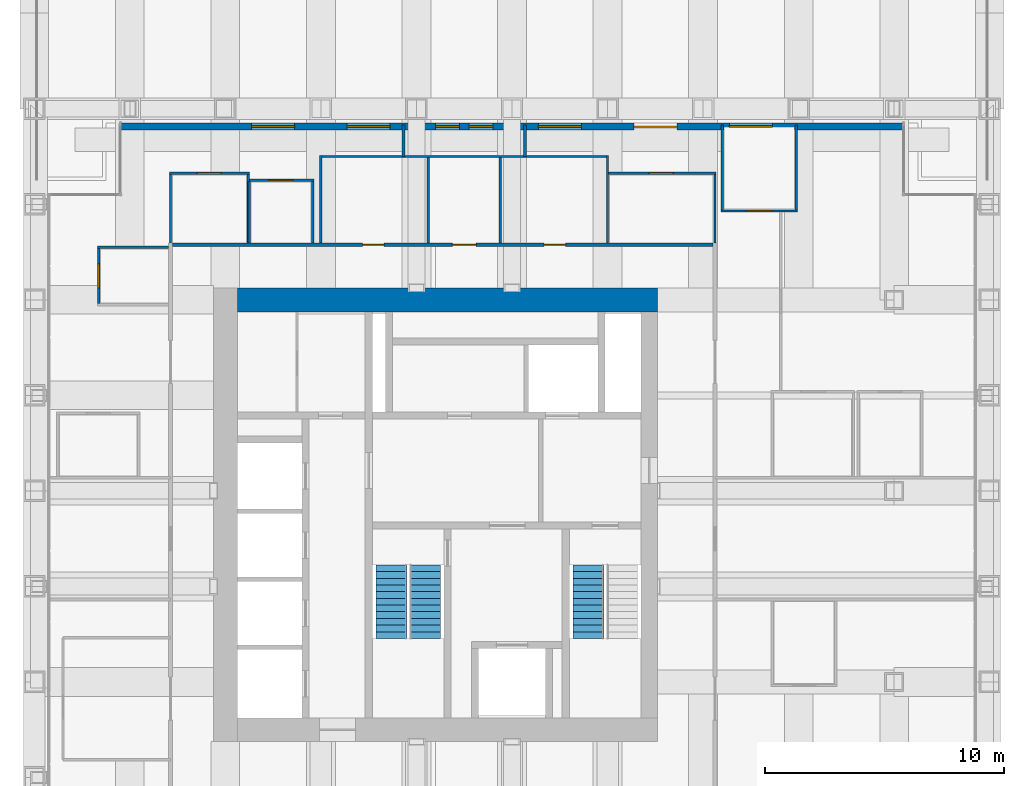
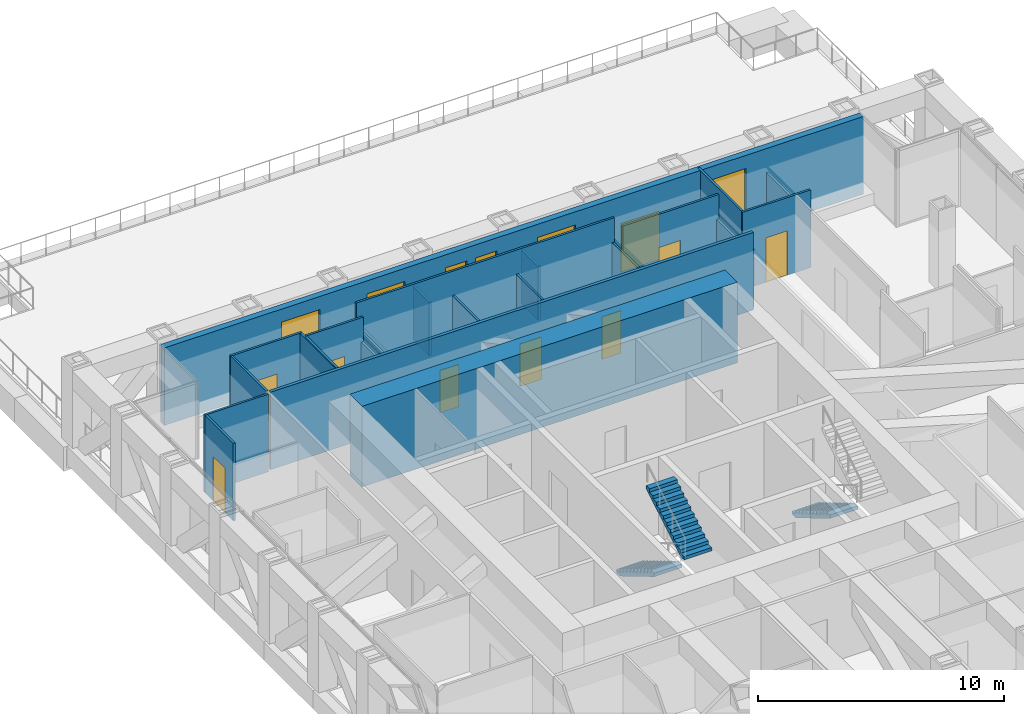
# One storey, part 13 of 17: 23 walls, 9 doors, 6 windows, 3 stair flights, 15 openings, 2 elements without a shape of their own.
"""IFC4 building model written with IfcOpenShell, lengths in metres."""

import ifcopenshell
import ifcopenshell.guid

model = None  # the IFC model being written
_history = None  # IfcOwnerHistory: only IFC2X3 demands one
_inside = {}  # id of a spatial element -> (the spatial element, [elements in it])
_under = {}  # id of a project, library or spatial element -> (it, [spatial elements below it])
_declared = {}  # id of a project -> (the project, [libraries it declares])
_typed = {}  # id of a type object -> (the type object, [elements of that type])
_made_of = {}  # id of a material, layer set ... -> (it, [elements and type objects made of it])


def new_model(schema):
    """Start an empty IFC model of exactly this schema.

    Asked for "IFC4X3", IfcOpenShell would pick the latest addendum, in which some entities
    have other attributes; the version numbers below select the first issue.
    IFC2X3 requires an IfcOwnerHistory on every rooted entity: one is made here for all.
    """
    global model, _history
    if schema == "IFC4X3":
        model = ifcopenshell.file(schema_version=(4, 3, 0, 0))
    else:
        model = ifcopenshell.file(schema=schema)
    _inside.clear()
    _under.clear()
    _declared.clear()
    _typed.clear()
    _made_of.clear()
    _history = None
    if model.schema == "IFC2X3":
        org = make("IfcOrganization", Name="unknown")
        user = make(
            "IfcPersonAndOrganization",
            ThePerson=make("IfcPerson", FamilyName="unknown"),
            TheOrganization=org,
        )
        app = make(
            "IfcApplication",
            ApplicationDeveloper=org,
            Version="unknown",
            ApplicationFullName="unknown",
            ApplicationIdentifier="unknown",
        )
        _history = make(
            "IfcOwnerHistory",
            OwningUser=user,
            OwningApplication=app,
            ChangeAction="ADDED",
            CreationDate=0,
        )
    return model


def make(cls, **values):
    """One entity of the class cls with the attributes given. An attribute that is None is left unset."""
    return model.create_entity(
        cls, **{name: value for name, value in values.items() if value is not None}
    )


def rooted(cls, **values):
    """An entity with a GlobalId (a new one), such as an element, a storey or a relation."""
    return make(cls, GlobalId=ifcopenshell.guid.new(), OwnerHistory=_history, **values)


def si_unit(unit_type, name, prefix=None):
    """IfcSIUnit, for example si_unit("LENGTHUNIT", "METRE", prefix="MILLI")."""
    return make("IfcSIUnit", UnitType=unit_type, Prefix=prefix, Name=name)


def assignment(units):
    """IfcUnitAssignment: the units of a project."""
    return None if units is None else make("IfcUnitAssignment", Units=units)


def point(xyz):
    """IfcCartesianPoint."""
    return None if xyz is None else make("IfcCartesianPoint", Coordinates=xyz)


def direction(xyz):
    """IfcDirection."""
    return None if xyz is None else make("IfcDirection", DirectionRatios=xyz)


def frame(location, z_axis=None, x_axis=None):
    """IfcAxis2Placement3D, a coordinate frame: its origin and axes. An axis left out is left unset."""
    return make(
        "IfcAxis2Placement3D",
        Location=point(location),
        Axis=direction(z_axis),
        RefDirection=direction(x_axis),
    )


def frame_2d(location, x_axis=None):
    """IfcAxis2Placement2D, a coordinate frame in the plane: its origin and x axis."""
    return make(
        "IfcAxis2Placement2D", Location=point(location), RefDirection=direction(x_axis)
    )


def origin():
    """The frame at (0, 0, 0) with its axes left unset."""
    return frame((0.0, 0.0, 0.0))


def place(relative_to, where):
    """IfcLocalPlacement: puts the frame where relative to a parent placement (None: the world)."""
    return make(
        "IfcLocalPlacement", PlacementRelTo=relative_to, RelativePlacement=where
    )


def context(
    kind, dimensions, precision=None, world=None, true_north=None, identifier=None
):
    """IfcGeometricRepresentationContext, for example the 3D "Model" context."""
    return make(
        "IfcGeometricRepresentationContext",
        ContextIdentifier=identifier,
        ContextType=kind,
        CoordinateSpaceDimension=dimensions,
        Precision=precision,
        WorldCoordinateSystem=world,
        TrueNorth=true_north,
    )


def subcontext(parent, identifier, kind, view, scale=None):
    """IfcGeometricRepresentationSubContext, for example "Body" below "Model"."""
    return make(
        "IfcGeometricRepresentationSubContext",
        ContextIdentifier=identifier,
        ContextType=kind,
        ParentContext=parent,
        TargetScale=scale,
        TargetView=view,
    )


def project(units=None, contexts=None):
    """IfcProject with its units and contexts."""
    return rooted(
        "IfcProject",
        Name="project",
        RepresentationContexts=contexts,
        UnitsInContext=assignment(units),
    )


def spatial(cls, under=None, at=None, **own):
    """A site, building, storey or space (cls), placed at a placement, below another one or the project."""
    s = rooted(cls, ObjectPlacement=at, **own)
    if under is not None:
        _under.setdefault(under.id(), (under, []))[1].append(s)
    return s


def polyline(points):
    """IfcPolyline through the points."""
    return make("IfcPolyline", Points=[point(p) for p in points])


def profile(cls, at=None, kind="AREA", **sizes):
    """A parametric profile (cls). Its sizes go by their IFC names, for example OverallWidth=200.0."""
    return make(cls, ProfileType=kind, Position=at, **sizes)


def rectangle(**sizes):
    """IfcRectangleProfileDef."""
    return profile("IfcRectangleProfileDef", **sizes)


def outline(outer, holes=None, kind="AREA"):
    """IfcArbitraryClosedProfileDef: a profile drawn as a closed curve; with holes, ...WithVoids."""
    if holes is None:
        return make("IfcArbitraryClosedProfileDef", ProfileType=kind, OuterCurve=outer)
    return make(
        "IfcArbitraryProfileDefWithVoids",
        ProfileType=kind,
        OuterCurve=outer,
        InnerCurves=holes,
    )


def extrude(swept, where, along, depth):
    """IfcExtrudedAreaSolid: the profile swept, set in the frame where, extruded along a direction by depth."""
    return make(
        "IfcExtrudedAreaSolid",
        SweptArea=swept,
        Position=where,
        ExtrudedDirection=direction(along),
        Depth=depth,
    )


def shape(context_of_items, identifier, shape_type, items):
    """IfcShapeRepresentation: the items that make up one representation, for example the "Body"."""
    return make(
        "IfcShapeRepresentation",
        ContextOfItems=context_of_items,
        RepresentationIdentifier=identifier,
        RepresentationType=shape_type,
        Items=items,
    )


def material(Name=None, Category=None):
    """IfcMaterial."""
    return make("IfcMaterial", Name=Name, Category=Category)


def layer(
    of_material, thickness, ventilated=None, Name=None, Category=None, Priority=None
):
    """IfcMaterialLayer: one layer of a wall or slab, of a material (None: an air gap)."""
    return make(
        "IfcMaterialLayer",
        Material=of_material,
        LayerThickness=thickness,
        IsVentilated=ventilated,
        Name=Name,
        Category=Category,
        Priority=Priority,
    )


def layer_set(layers, Name=None):
    """IfcMaterialLayerSet."""
    return make("IfcMaterialLayerSet", MaterialLayers=layers, LayerSetName=Name)


def made_of(thing, what):
    """Note that an element or type object is made of a material, layer set ...; save() writes the relation."""
    if what is not None:
        _made_of.setdefault(what.id(), (what, []))[1].append(thing)
    return thing


def type_object(cls, material=None, **own):
    """A type object (cls), such as IfcWallType, which elements share."""
    return made_of(rooted(cls, **own), material)


def element(
    cls,
    number,
    at=None,
    inside=None,
    cuts=None,
    type_object=None,
    material=None,
    context=None,
    identifier="Body",
    shape_type=None,
    held_by="IfcProductDefinitionShape",
    body=None,
    shapes=None,
    **own,
):
    """One element of the class cls, such as IfcWall. Its Tag is "e" and its number.

    at: its placement. inside: the storey or other place that contains it. cuts: it is an
    opening in that element (IfcRelVoidsElement). A single representation is given by context,
    identifier, shape_type and body (its items); several are given by shapes. held_by: the class
    of the entity that holds the representations. save() writes the other relations.
    """
    e = rooted(cls, Tag="e%d" % number, ObjectPlacement=at, **own)
    if body is not None:
        shapes = [shape(context, identifier, shape_type, body)]
    if shapes is not None:
        e.Representation = make(held_by, Representations=shapes)
    if inside is not None:
        _inside.setdefault(inside.id(), (inside, []))[1].append(e)
    if cuts is not None:
        rooted(
            "IfcRelVoidsElement", RelatingBuildingElement=cuts, RelatedOpeningElement=e
        )
    if type_object is not None:
        _typed.setdefault(type_object.id(), (type_object, []))[1].append(e)
    return made_of(e, material)


def fill(opening, filler):
    """IfcRelFillsElement: the door or window that sits in an opening."""
    return rooted(
        "IfcRelFillsElement",
        RelatingOpeningElement=opening,
        RelatedBuildingElement=filler,
    )


def aggregate(whole, parts):
    """IfcRelAggregates: a whole, such as a stair, and the parts it consists of."""
    return rooted("IfcRelAggregates", RelatingObject=whole, RelatedObjects=parts)


def save(model, path):
    """Write the relations noted so far, then the file.

    IfcRelAggregates (storeys below a building ...), IfcRelContainedInSpatialStructure (elements
    in a storey), IfcRelDefinesByType, IfcRelAssociatesMaterial and IfcRelDeclares: one each for
    every whole, place, type object, material and project.
    """
    for whole, parts in _under.values():
        aggregate(whole, parts)
    for where, things in _inside.values():
        rooted(
            "IfcRelContainedInSpatialStructure",
            RelatedElements=things,
            RelatingStructure=where,
        )
    for kind, things in _typed.values():
        rooted("IfcRelDefinesByType", RelatedObjects=things, RelatingType=kind)
    for what, things in _made_of.values():
        rooted("IfcRelAssociatesMaterial", RelatedObjects=things, RelatingMaterial=what)
    for by, libraries in _declared.values():
        rooted("IfcRelDeclares", RelatingContext=by, RelatedDefinitions=libraries)
    model.write(path)


model = new_model("IFC4")

# Units and contexts
model_context = context("Model", 3, precision=1e-05, world=origin(), true_north=direction((0.0, 1.0)))
body_context = subcontext(model_context, "Body", "Model", "MODEL_VIEW")
ifc_project = project(units=[si_unit("LENGTHUNIT", "METRE"), si_unit("AREAUNIT", "SQUARE_METRE"), si_unit("VOLUMEUNIT", "CUBIC_METRE"), si_unit("PLANEANGLEUNIT", "RADIAN"), si_unit("MASSUNIT", "GRAM", prefix="KILO")], contexts=[model_context])

# Site, building, storey
site_placement = place(None, origin())
site = spatial("IfcSite", under=ifc_project, at=site_placement, CompositionType="ELEMENT")
building_placement = place(site_placement, origin())
building = spatial("IfcBuilding", under=site, at=building_placement, Name="Rimbunsela Tower", CompositionType="ELEMENT")
storey_placement = place(building_placement, frame((0.0, 0.0, 238.199951171875)))
storey = spatial("IfcBuildingStorey", under=building, at=storey_placement, Name="L57", CompositionType="ELEMENT", Elevation=238.199951171875)

# Walls
ifc_material_1 = material(Name="Concrete fc' 80 MPa", Category="concrete")
ifc_layer_1 = layer(ifc_material_1, 1.0)
ifc_layer_set_1 = layer_set([ifc_layer_1], Name="Core wall 1000")
wall_type_1 = type_object("IfcWallType", Name="Core wall 1000", PredefinedType="SHEAR", material=ifc_layer_set_1)
wall_1_placement = place(storey_placement, frame((18.5, 36.0, -0.14990234375), z_axis=(0.0, 0.0, 1.0), x_axis=(1.0, 0.0, 0.0)))
element("IfcWall", 1, at=wall_1_placement, inside=storey, type_object=wall_type_1, Name="Core wall north", PredefinedType="SHEAR", context=body_context, shape_type="SweptSolid", body=[
    extrude(rectangle(XDim=17.60009765625, YDim=1.0, at=frame_2d((8.800048828125, 0.0))), origin(), (0.0, 0.0, 1.0), 4.0),
])
ifc_material_2 = material(Name="Gypsum board on steel studs", Category="steel")
ifc_layer_2 = layer(ifc_material_2, 0.10009765625)
ifc_layer_set_2 = layer_set([ifc_layer_2], Name="Office partition 100")
wall_type_2 = type_object("IfcWallType", Name="Office partition 100", PredefinedType="PARTITIONING", material=ifc_layer_set_2)
wall_2_placement = place(storey_placement, frame((12.64990234375, 38.199951171875, 0.0), z_axis=(0.0, 0.0, 1.0), x_axis=(1.0, 0.0, 0.0)))
element("IfcWall", 2, at=wall_2_placement, inside=storey, type_object=wall_type_2, Name="Office partition", PredefinedType="PARTITIONING", context=body_context, shape_type="SweptSolid", body=[
    extrude(rectangle(XDim=2.97509765625, YDim=0.10009765625, at=frame_2d((1.487548828125, 0.0))), origin(), (0.0, 0.0, 1.0), 3.85009765625),
])

# Wall, opening, door
wall_3_placement = place(storey_placement, frame((38.75, 39.719970703125, 0.0), z_axis=(0.0, 0.0, 1.0), x_axis=(1.0, 0.0, 0.0)))
wall_3 = element("IfcWall", 3, at=wall_3_placement, inside=storey, type_object=wall_type_2, Name="Office partition", PredefinedType="PARTITIONING", context=body_context, shape_type="SweptSolid", body=[
    extrude(rectangle(XDim=3.199951171875, YDim=0.10009765625, at=frame_2d((1.60009765625, 0.0))), origin(), (0.0, 0.0, 1.0), 3.85009765625),
])
opening_1_placement = place(wall_3_placement, frame((1.10009765625, 0.0, 0.0)))
opening_1 = element("IfcOpeningElement", 4, at=opening_1_placement, cuts=wall_3, Name="Opening D16", PredefinedType="OPENING", context=body_context, shape_type="SweptSolid", body=[
    extrude(rectangle(XDim=1.0, YDim=2.199951171875, at=frame_2d((0.5, 1.10009765625))), frame((0.0, 0.06005859375, 0.0), z_axis=(0.0, -1.0, 0.0), x_axis=(1.0, 0.0, 0.0)), (0.0, 0.0, 1.0), 0.1201171875),
])
ifc_material_3 = material(Name="Timber door", Category="wood")
door_type_1 = type_object("IfcDoorType", Name="Office door 1000", OperationType="SINGLE_SWING_LEFT", PredefinedType="DOOR", material=ifc_material_3)
door_1_placement = place(opening_1_placement, origin())
door_1 = element("IfcDoor", 5, at=door_1_placement, inside=storey, type_object=door_type_1, Name="Office door", OperationType="SINGLE_SWING_LEFT", OverallHeight=2.199951171875, OverallWidth=1.0, PredefinedType="DOOR", context=body_context, shape_type="SweptSolid", body=[
    extrude(rectangle(XDim=1.0, YDim=2.199951171875, at=frame_2d((0.5, 1.10009765625))), frame((0.0, 0.02490234375, 0.0), z_axis=(0.0, -1.0, 0.0), x_axis=(1.0, 0.0, 0.0)), (0.0, 0.0, 1.0), 0.050048828125),
])
fill(opening_1, door_1)

wall_4_placement = place(storey_placement, frame((18.949951171875, 41.0, 0.0), z_axis=(0.0, 0.0, 1.0), x_axis=(1.0, 0.0, 0.0)))
wall_4 = element("IfcWall", 6, at=wall_4_placement, inside=storey, type_object=wall_type_2, Name="Office partition", PredefinedType="PARTITIONING", context=body_context, shape_type="SweptSolid", body=[
    extrude(rectangle(XDim=2.75, YDim=0.10009765625, at=frame_2d((1.375, 0.0))), origin(), (0.0, 0.0, 1.0), 3.85009765625),
])
opening_2_placement = place(wall_4_placement, frame((0.875, 0.0, 0.0)))
opening_2 = element("IfcOpeningElement", 7, at=opening_2_placement, cuts=wall_4, Name="Opening D16", PredefinedType="OPENING", context=body_context, shape_type="SweptSolid", body=[
    extrude(rectangle(XDim=1.0, YDim=2.199951171875, at=frame_2d((0.5, 1.10009765625))), frame((0.0, 0.06005859375, 0.0), z_axis=(0.0, -1.0, 0.0), x_axis=(1.0, 0.0, 0.0)), (0.0, 0.0, 1.0), 0.1201171875),
])
door_2_placement = place(opening_2_placement, origin())
door_2 = element("IfcDoor", 8, at=door_2_placement, inside=storey, type_object=door_type_1, Name="Office door", OperationType="SINGLE_SWING_LEFT", OverallHeight=2.199951171875, OverallWidth=1.0, PredefinedType="DOOR", context=body_context, shape_type="SweptSolid", body=[
    extrude(rectangle(XDim=1.0, YDim=2.199951171875, at=frame_2d((0.5, 1.10009765625))), frame((0.0, 0.02490234375, 0.0), z_axis=(0.0, -1.0, 0.0), x_axis=(1.0, 0.0, 0.0)), (0.0, 0.0, 1.0), 0.050048828125),
])
fill(opening_2, door_2)

wall_5_placement = place(storey_placement, frame((15.64990234375, 41.300048828125, 0.0), z_axis=(0.0, 0.0, 1.0), x_axis=(1.0, 0.0, 0.0)))
wall_5 = element("IfcWall", 9, at=wall_5_placement, inside=storey, type_object=wall_type_2, Name="Office partition", PredefinedType="PARTITIONING", context=body_context, shape_type="SweptSolid", body=[
    extrude(rectangle(XDim=3.35009765625, YDim=0.10009765625, at=frame_2d((1.675048828125, 0.0))), origin(), (0.0, 0.0, 1.0), 3.85009765625),
])
opening_3_placement = place(wall_5_placement, frame((1.175048828125, 0.0, 0.0)))
opening_3 = element("IfcOpeningElement", 10, at=opening_3_placement, cuts=wall_5, Name="Opening D16", PredefinedType="OPENING", context=body_context, shape_type="SweptSolid", body=[
    extrude(rectangle(XDim=1.0, YDim=2.199951171875, at=frame_2d((0.5, 1.10009765625))), frame((0.0, 0.06005859375, 0.0), z_axis=(0.0, -1.0, 0.0), x_axis=(1.0, 0.0, 0.0)), (0.0, 0.0, 1.0), 0.1201171875),
])
door_3_placement = place(opening_3_placement, origin())
door_3 = element("IfcDoor", 11, at=door_3_placement, inside=storey, type_object=door_type_1, Name="Office door", OperationType="SINGLE_SWING_LEFT", OverallHeight=2.199951171875, OverallWidth=1.0, PredefinedType="DOOR", context=body_context, shape_type="SweptSolid", body=[
    extrude(rectangle(XDim=1.0, YDim=2.199951171875, at=frame_2d((0.5, 1.10009765625))), frame((0.0, 0.02490234375, 0.0), z_axis=(0.0, -1.0, 0.0), x_axis=(1.0, 0.0, 0.0)), (0.0, 0.0, 1.0), 0.050048828125),
])
fill(opening_3, door_3)

wall_6_placement = place(storey_placement, frame((34.050048828125, 41.300048828125, 0.0), z_axis=(0.0, 0.0, 1.0), x_axis=(1.0, 0.0, 0.0)))
wall_6 = element("IfcWall", 12, at=wall_6_placement, inside=storey, type_object=wall_type_2, Name="Office partition", PredefinedType="PARTITIONING", context=body_context, shape_type="SweptSolid", body=[
    extrude(rectangle(XDim=4.5, YDim=0.10009765625, at=frame_2d((2.25, 0.0))), origin(), (0.0, 0.0, 1.0), 3.85009765625),
])
opening_4_placement = place(wall_6_placement, frame((1.699951171875, 0.0, 0.0)))
opening_4 = element("IfcOpeningElement", 13, at=opening_4_placement, cuts=wall_6, Name="Opening D16", PredefinedType="OPENING", context=body_context, shape_type="SweptSolid", body=[
    extrude(rectangle(XDim=1.0, YDim=2.199951171875, at=frame_2d((0.5, 1.10009765625))), frame((0.0, 0.06005859375, 0.0), z_axis=(0.0, -1.0, 0.0), x_axis=(1.0, 0.0, 0.0)), (0.0, 0.0, 1.0), 0.1201171875),
])
door_4_placement = place(opening_4_placement, origin())
door_4 = element("IfcDoor", 14, at=door_4_placement, inside=storey, type_object=door_type_1, Name="Office door", OperationType="SINGLE_SWING_LEFT", OverallHeight=2.199951171875, OverallWidth=1.0, PredefinedType="DOOR", context=body_context, shape_type="SweptSolid", body=[
    extrude(rectangle(XDim=1.0, YDim=2.199951171875, at=frame_2d((0.5, 1.10009765625))), frame((0.0, 0.02490234375, 0.0), z_axis=(0.0, -1.0, 0.0), x_axis=(1.0, 0.0, 0.0)), (0.0, 0.0, 1.0), 0.050048828125),
])
fill(opening_4, door_4)

wall_7_placement = place(storey_placement, frame((12.699951171875, 35.85009765625, 0.0), z_axis=(0.0, 0.0, 1.0), x_axis=(0.0, 1.0, 0.0)))
wall_7 = element("IfcWall", 15, at=wall_7_placement, inside=storey, type_object=wall_type_2, Name="Office partition", PredefinedType="PARTITIONING", context=body_context, shape_type="SweptSolid", body=[
    extrude(rectangle(XDim=2.2998046875, YDim=0.10009765625, at=frame_2d((1.14990234375, 0.0))), origin(), (0.0, 0.0, 1.0), 3.85009765625),
])
opening_5_placement = place(wall_7_placement, frame((0.64990234375, 0.0, 0.0)))
opening_5 = element("IfcOpeningElement", 16, at=opening_5_placement, cuts=wall_7, Name="Opening D16", PredefinedType="OPENING", context=body_context, shape_type="SweptSolid", body=[
    extrude(rectangle(XDim=1.0, YDim=2.199951171875, at=frame_2d((0.5, 1.10009765625))), frame((0.0, 0.06005859375, 0.0), z_axis=(0.0, -1.0, 0.0), x_axis=(1.0, 0.0, 0.0)), (0.0, 0.0, 1.0), 0.1201171875),
])
door_5_placement = place(opening_5_placement, origin())
door_5 = element("IfcDoor", 17, at=door_5_placement, inside=storey, type_object=door_type_1, Name="Office door", OperationType="SINGLE_SWING_LEFT", OverallHeight=2.199951171875, OverallWidth=1.0, PredefinedType="DOOR", context=body_context, shape_type="SweptSolid", body=[
    extrude(rectangle(XDim=1.0, YDim=2.199951171875, at=frame_2d((0.5, 1.10009765625))), frame((0.0, 0.02490234375, 0.0), z_axis=(0.0, -1.0, 0.0), x_axis=(1.0, 0.0, 0.0)), (0.0, 0.0, 1.0), 0.050048828125),
])
fill(opening_5, door_5)

# Walls
for number, where, z_axis, x_axis, name in (
    (18, (15.699951171875, 38.375, 0.0), (0.0, 0.0, 1.0), (0.0, 1.0, 0.0), "Office partition"),
    (19, (18.949951171875, 38.375, 0.0), (0.0, 0.0, 1.0), (0.0, 1.0, 0.0), "Office partition"),
):
    element("IfcWall", number, at=place(storey_placement, frame(where, z_axis=z_axis, x_axis=x_axis)), inside=storey, type_object=wall_type_2, Name=name, PredefinedType="PARTITIONING", context=body_context, shape_type="SweptSolid", body=[
        extrude(rectangle(XDim=2.875, YDim=0.10009765625, at=frame_2d((1.4375, 0.0))), origin(), (0.0, 0.0, 1.0), 3.85009765625),
    ])
wall_8_placement = place(storey_placement, frame((19.0, 38.375, 0.0), z_axis=(0.0, 0.0, 1.0), x_axis=(0.0, 1.0, 0.0)))
element("IfcWall", 20, at=wall_8_placement, inside=storey, type_object=wall_type_2, Name="Office partition", PredefinedType="PARTITIONING", context=body_context, shape_type="SweptSolid", body=[
    extrude(rectangle(XDim=2.574951171875, YDim=0.10009765625, at=frame_2d((1.28759765625, 0.0))), origin(), (0.0, 0.0, 1.0), 3.85009765625),
])
wall_9_placement = place(storey_placement, frame((21.64990234375, 38.375, 0.0), z_axis=(0.0, 0.0, 1.0), x_axis=(0.0, 1.0, 0.0)))
element("IfcWall", 21, at=wall_9_placement, inside=storey, type_object=wall_type_2, Name="Office partition", PredefinedType="PARTITIONING", context=body_context, shape_type="SweptSolid", body=[
    extrude(rectangle(XDim=2.574951171875, YDim=0.10009765625, at=frame_2d((1.28759765625, 0.0))), origin(), (0.0, 0.0, 1.0), 2.650146484375),
])
wall_10_placement = place(storey_placement, frame((38.5, 38.375, 0.0), z_axis=(0.0, 0.0, 1.0), x_axis=(0.0, 1.0, 0.0)))
element("IfcWall", 22, at=wall_10_placement, inside=storey, type_object=wall_type_2, Name="Office partition", PredefinedType="PARTITIONING", context=body_context, shape_type="SweptSolid", body=[
    extrude(rectangle(XDim=2.875, YDim=0.10009765625, at=frame_2d((1.4375, 0.0))), origin(), (0.0, 0.0, 1.0), 2.650146484375),
])
wall_11_placement = place(storey_placement, frame((38.800048828125, 39.77001953125, 0.0), z_axis=(0.0, 0.0, 1.0), x_axis=(0.0, 1.0, 0.0)))
element("IfcWall", 23, at=wall_11_placement, inside=storey, type_object=wall_type_2, Name="Office partition", PredefinedType="PARTITIONING", context=body_context, shape_type="SweptSolid", body=[
    extrude(rectangle(XDim=3.550048828125, YDim=0.10009765625, at=frame_2d((1.77490234375, 0.0))), origin(), (0.0, 0.0, 1.0), 3.85009765625),
])
wall_12_placement = place(storey_placement, frame((41.89990234375, 39.77001953125, 0.0), z_axis=(0.0, 0.0, 1.0), x_axis=(0.0, 1.0, 0.0)))
element("IfcWall", 24, at=wall_12_placement, inside=storey, type_object=wall_type_2, Name="Office partition", PredefinedType="PARTITIONING", context=body_context, shape_type="SweptSolid", body=[
    extrude(rectangle(XDim=3.550048828125, YDim=0.10009765625, at=frame_2d((1.77490234375, 0.0))), origin(), (0.0, 0.0, 1.0), 2.650146484375),
])

# Wall, openings, doors
ifc_material_4 = material(Name="Fire-rated gypsum board on steel studs, EI 60", Category="steel")
ifc_layer_3 = layer(ifc_material_4, 0.14990234375)
ifc_layer_set_3 = layer_set([ifc_layer_3], Name="Rated corridor wall 150")
wall_type_3 = type_object("IfcWallType", Name="Rated corridor wall 150", PredefinedType="PARTITIONING", material=ifc_layer_set_3)
wall_13_placement = place(storey_placement, frame((15.77490234375, 38.300048828125, 0.0), z_axis=(0.0, 0.0, 1.0), x_axis=(1.0, 0.0, 0.0)))
wall_13 = element("IfcWall", 25, at=wall_13_placement, inside=storey, type_object=wall_type_3, Name="Corridor wall north", PredefinedType="PARTITIONING", context=body_context, shape_type="SweptSolid", body=[
    extrude(rectangle(XDim=22.650146484375, YDim=0.14990234375, at=frame_2d((11.3251953125, 0.0))), origin(), (0.0, 0.0, 1.0), 3.85009765625),
])
opening_6_placement = place(wall_13_placement, frame((7.97509765625, 0.0, 0.0)))
opening_6 = element("IfcOpeningElement", 26, at=opening_6_placement, cuts=wall_13, Name="Opening D04", PredefinedType="OPENING", context=body_context, shape_type="SweptSolid", body=[
    extrude(rectangle(XDim=0.89990234375, YDim=2.10009765625, at=frame_2d((0.449951171875, 1.050048828125))), frame((0.0, 0.0849609375, 0.0), z_axis=(0.0, -1.0, 0.0), x_axis=(1.0, 0.0, 0.0)), (0.0, 0.0, 1.0), 0.169921875),
])
opening_7_placement = place(wall_13_placement, frame((11.72509765625, 0.0, 0.0)))
opening_7 = element("IfcOpeningElement", 27, at=opening_7_placement, cuts=wall_13, Name="Opening D05", PredefinedType="OPENING", context=body_context, shape_type="SweptSolid", body=[
    extrude(rectangle(XDim=1.0, YDim=2.10009765625, at=frame_2d((0.5, 1.050048828125))), frame((0.0, 0.0849609375, 0.0), z_axis=(0.0, -1.0, 0.0), x_axis=(1.0, 0.0, 0.0)), (0.0, 0.0, 1.0), 0.169921875),
])
opening_8_placement = place(wall_13_placement, frame((15.574951171875, 0.0, 0.0)))
opening_8 = element("IfcOpeningElement", 28, at=opening_8_placement, cuts=wall_13, Name="Opening D04", PredefinedType="OPENING", context=body_context, shape_type="SweptSolid", body=[
    extrude(rectangle(XDim=0.89990234375, YDim=2.10009765625, at=frame_2d((0.449951171875, 1.050048828125))), frame((0.0, 0.0849609375, 0.0), z_axis=(0.0, -1.0, 0.0), x_axis=(1.0, 0.0, 0.0)), (0.0, 0.0, 1.0), 0.169921875),
])
ifc_material_5 = material(Name="Timber door", Category="wood")
door_type_2 = type_object("IfcDoorType", Name="Accessible WC door 1000", OperationType="SLIDING_TO_LEFT", PredefinedType="DOOR", material=ifc_material_5)
door_6_placement = place(opening_7_placement, origin())
door_6 = element("IfcDoor", 29, at=door_6_placement, inside=storey, type_object=door_type_2, Name="Accessible WC door", OperationType="SLIDING_TO_LEFT", OverallHeight=2.10009765625, OverallWidth=1.0, PredefinedType="DOOR", context=body_context, shape_type="SweptSolid", body=[
    extrude(rectangle(XDim=1.0, YDim=2.10009765625, at=frame_2d((0.5, 1.050048828125))), frame((0.0, 0.02490234375, 0.0), z_axis=(0.0, -1.0, 0.0), x_axis=(1.0, 0.0, 0.0)), (0.0, 0.0, 1.0), 0.050048828125),
])
fill(opening_7, door_6)
ifc_material_6 = material(Name="Timber door", Category="wood")
door_type_3 = type_object("IfcDoorType", Name="Toilet door 900", OperationType="SINGLE_SWING_LEFT", PredefinedType="DOOR", material=ifc_material_6)
door_7_placement = place(opening_6_placement, origin())
door_7 = element("IfcDoor", 30, at=door_7_placement, inside=storey, type_object=door_type_3, Name="Female WC door", OperationType="SINGLE_SWING_LEFT", OverallHeight=2.10009765625, OverallWidth=0.89990234375, PredefinedType="DOOR", context=body_context, shape_type="SweptSolid", body=[
    extrude(rectangle(XDim=0.89990234375, YDim=2.10009765625, at=frame_2d((0.449951171875, 1.050048828125))), frame((0.0, 0.02490234375, 0.0), z_axis=(0.0, -1.0, 0.0), x_axis=(1.0, 0.0, 0.0)), (0.0, 0.0, 1.0), 0.050048828125),
])
fill(opening_6, door_7)
door_8_placement = place(opening_8_placement, origin())
door_8 = element("IfcDoor", 31, at=door_8_placement, inside=storey, type_object=door_type_3, Name="Male WC door", OperationType="SINGLE_SWING_LEFT", OverallHeight=2.10009765625, OverallWidth=0.89990234375, PredefinedType="DOOR", context=body_context, shape_type="SweptSolid", body=[
    extrude(rectangle(XDim=0.89990234375, YDim=2.10009765625, at=frame_2d((0.449951171875, 1.050048828125))), frame((0.0, 0.02490234375, 0.0), z_axis=(0.0, -1.0, 0.0), x_axis=(1.0, 0.0, 0.0)), (0.0, 0.0, 1.0), 0.050048828125),
])
fill(opening_8, door_8)

# Walls
ifc_material_7 = material(Name="Gypsum board on steel studs", Category="steel")
ifc_layer_4 = layer(ifc_material_7, 0.1201171875)
ifc_layer_set_4 = layer_set([ifc_layer_4], Name="Tenancy partition 120")
wall_type_4 = type_object("IfcWallType", Name="Tenancy partition 120", PredefinedType="PARTITIONING", material=ifc_layer_set_4)
for number, where, z_axis, x_axis, name in (
    (32, (25.449951171875, 42.0, 0.0), (0.0, 0.0, 1.0), (0.0, 1.0, 0.0), "Tenancy partition"),
    (33, (30.550048828125, 42.0, 0.0), (0.0, 0.0, 1.0), (0.0, 1.0, 0.0), "Tenancy partition"),
):
    element("IfcWall", number, at=place(storey_placement, frame(where, z_axis=z_axis, x_axis=x_axis)), inside=storey, type_object=wall_type_4, Name=name, PredefinedType="PARTITIONING", context=body_context, shape_type="SweptSolid", body=[
        extrude(rectangle(XDim=1.320068359375, YDim=0.1201171875, at=frame_2d((0.66015625, 0.0))), origin(), (0.0, 0.0, 1.0), 2.650146484375),
    ])

# Wall, openings, door, windows
ifc_material_8 = material(Name="Precast concrete fc' 35 MPa", Category="concrete")
ifc_layer_5 = layer(ifc_material_8, 0.300048828125)
ifc_layer_set_5 = layer_set([ifc_layer_5], Name="Terrace wall 300")
wall_type_5 = type_object("IfcWallType", Name="Terrace wall 300", PredefinedType="ELEMENTEDWALL", material=ifc_layer_set_5)
wall_14_placement = place(storey_placement, frame((46.39990234375, 43.25, 0.0), z_axis=(0.0, 0.0, 1.0), x_axis=(-1.0, 0.0, 0.0)))
wall_14 = element("IfcWall", 34, at=wall_14_placement, inside=storey, type_object=wall_type_5, Name="Terrace wall N L57", PredefinedType="ELEMENTEDWALL", context=body_context, shape_type="SweptSolid", body=[
    extrude(rectangle(XDim=32.7998046875, YDim=0.300048828125, at=frame_2d((16.39990234375, 0.0))), origin(), (0.0, 0.0, 1.0), 3.85009765625),
])
opening_9_placement = place(wall_14_placement, frame((25.5, 0.0, 0.800048828125)))
opening_9 = element("IfcOpeningElement", 35, at=opening_9_placement, cuts=wall_14, Name="Opening W3", PredefinedType="OPENING", context=body_context, shape_type="SweptSolid", body=[
    extrude(rectangle(XDim=1.800048828125, YDim=2.39990234375, at=frame_2d((0.89990234375, 1.199951171875))), frame((0.0, 0.159912109375, 0.0), z_axis=(0.0, -1.0, 0.0), x_axis=(1.0, 0.0, 0.0)), (0.0, 0.0, 1.0), 0.320068359375),
])
opening_10_placement = place(wall_14_placement, frame((21.5, 0.0, 0.800048828125)))
opening_10 = element("IfcOpeningElement", 36, at=opening_10_placement, cuts=wall_14, Name="Opening W3", PredefinedType="OPENING", context=body_context, shape_type="SweptSolid", body=[
    extrude(rectangle(XDim=1.800048828125, YDim=2.39990234375, at=frame_2d((0.89990234375, 1.199951171875))), frame((0.0, 0.159912109375, 0.0), z_axis=(0.0, -1.0, 0.0), x_axis=(1.0, 0.0, 0.0)), (0.0, 0.0, 1.0), 0.320068359375),
])
opening_11_placement = place(wall_14_placement, frame((18.60009765625, 0.0, 0.800048828125)))
opening_11 = element("IfcOpeningElement", 37, at=opening_11_placement, cuts=wall_14, Name="Opening W6", PredefinedType="OPENING", context=body_context, shape_type="SweptSolid", body=[
    extrude(rectangle(XDim=1.0, YDim=2.39990234375, at=frame_2d((0.5, 1.199951171875))), frame((0.0, 0.159912109375, 0.0), z_axis=(0.0, -1.0, 0.0), x_axis=(1.0, 0.0, 0.0)), (0.0, 0.0, 1.0), 0.320068359375),
])
opening_12_placement = place(wall_14_placement, frame((17.199951171875, 0.0, 0.800048828125)))
opening_12 = element("IfcOpeningElement", 38, at=opening_12_placement, cuts=wall_14, Name="Opening W6", PredefinedType="OPENING", context=body_context, shape_type="SweptSolid", body=[
    extrude(rectangle(XDim=1.0, YDim=2.39990234375, at=frame_2d((0.5, 1.199951171875))), frame((0.0, 0.159912109375, 0.0), z_axis=(0.0, -1.0, 0.0), x_axis=(1.0, 0.0, 0.0)), (0.0, 0.0, 1.0), 0.320068359375),
])
opening_13_placement = place(wall_14_placement, frame((13.5, 0.0, 0.800048828125)))
opening_13 = element("IfcOpeningElement", 39, at=opening_13_placement, cuts=wall_14, Name="Opening W3", PredefinedType="OPENING", context=body_context, shape_type="SweptSolid", body=[
    extrude(rectangle(XDim=1.800048828125, YDim=2.39990234375, at=frame_2d((0.89990234375, 1.199951171875))), frame((0.0, 0.159912109375, 0.0), z_axis=(0.0, -1.0, 0.0), x_axis=(1.0, 0.0, 0.0)), (0.0, 0.0, 1.0), 0.320068359375),
])
opening_14_placement = place(wall_14_placement, frame((9.5, 0.0, 0.0)))
opening_14 = element("IfcOpeningElement", 40, at=opening_14_placement, cuts=wall_14, Name="Opening TD1", PredefinedType="OPENING", context=body_context, shape_type="SweptSolid", body=[
    extrude(rectangle(XDim=1.800048828125, YDim=2.39990234375, at=frame_2d((0.89990234375, 1.199951171875))), frame((0.0, 0.159912109375, 0.0), z_axis=(0.0, -1.0, 0.0), x_axis=(1.0, 0.0, 0.0)), (0.0, 0.0, 1.0), 0.320068359375),
])
opening_15_placement = place(wall_14_placement, frame((5.5, 0.0, 0.800048828125)))
opening_15 = element("IfcOpeningElement", 41, at=opening_15_placement, cuts=wall_14, Name="Opening W3", PredefinedType="OPENING", context=body_context, shape_type="SweptSolid", body=[
    extrude(rectangle(XDim=1.800048828125, YDim=2.39990234375, at=frame_2d((0.89990234375, 1.199951171875))), frame((0.0, 0.159912109375, 0.0), z_axis=(0.0, -1.0, 0.0), x_axis=(1.0, 0.0, 0.0)), (0.0, 0.0, 1.0), 0.320068359375),
])
ifc_material_9 = material(Name="Glazed aluminium door", Category="aluminium")
door_type_4 = type_object("IfcDoorType", Name="Terrace door 1800", OperationType="DOUBLE_DOOR_SLIDING", PredefinedType="DOOR", material=ifc_material_9)
door_9_placement = place(opening_14_placement, origin())
door_9 = element("IfcDoor", 42, at=door_9_placement, inside=storey, type_object=door_type_4, Name="Terrace door", OperationType="DOUBLE_DOOR_SLIDING", OverallHeight=2.39990234375, OverallWidth=1.800048828125, PredefinedType="DOOR", context=body_context, shape_type="SweptSolid", body=[
    extrude(rectangle(XDim=1.800048828125, YDim=2.39990234375, at=frame_2d((0.89990234375, 1.199951171875))), frame((0.0, 0.02490234375, 0.0), z_axis=(0.0, -1.0, 0.0), x_axis=(1.0, 0.0, 0.0)), (0.0, 0.0, 1.0), 0.050048828125),
])
fill(opening_14, door_9)
ifc_material_10 = material(Name="Clear glass in aluminium frame", Category="aluminium")
window_type_1 = type_object("IfcWindowType", Name="Window W3 1800x2400", PartitioningType="SINGLE_PANEL", PredefinedType="WINDOW", material=ifc_material_10)
window_1_placement = place(opening_9_placement, origin())
window_1 = element("IfcWindow", 43, at=window_1_placement, inside=storey, type_object=window_type_1, Name="Window L57", OverallHeight=2.39990234375, OverallWidth=1.800048828125, PartitioningType="SINGLE_PANEL", PredefinedType="WINDOW", context=body_context, shape_type="SweptSolid", body=[
    extrude(rectangle(XDim=1.800048828125, YDim=2.39990234375, at=frame_2d((0.89990234375, 1.199951171875))), frame((0.0, 0.030029296875, 0.0), z_axis=(0.0, -1.0, 0.0), x_axis=(1.0, 0.0, 0.0)), (0.0, 0.0, 1.0), 0.06005859375),
])
fill(opening_9, window_1)
window_2_placement = place(opening_10_placement, origin())
window_2 = element("IfcWindow", 44, at=window_2_placement, inside=storey, type_object=window_type_1, Name="Window L57", OverallHeight=2.39990234375, OverallWidth=1.800048828125, PartitioningType="SINGLE_PANEL", PredefinedType="WINDOW", context=body_context, shape_type="SweptSolid", body=[
    extrude(rectangle(XDim=1.800048828125, YDim=2.39990234375, at=frame_2d((0.89990234375, 1.199951171875))), frame((0.0, 0.030029296875, 0.0), z_axis=(0.0, -1.0, 0.0), x_axis=(1.0, 0.0, 0.0)), (0.0, 0.0, 1.0), 0.06005859375),
])
fill(opening_10, window_2)
window_3_placement = place(opening_13_placement, origin())
window_3 = element("IfcWindow", 45, at=window_3_placement, inside=storey, type_object=window_type_1, Name="Window L57", OverallHeight=2.39990234375, OverallWidth=1.800048828125, PartitioningType="SINGLE_PANEL", PredefinedType="WINDOW", context=body_context, shape_type="SweptSolid", body=[
    extrude(rectangle(XDim=1.800048828125, YDim=2.39990234375, at=frame_2d((0.89990234375, 1.199951171875))), frame((0.0, 0.030029296875, 0.0), z_axis=(0.0, -1.0, 0.0), x_axis=(1.0, 0.0, 0.0)), (0.0, 0.0, 1.0), 0.06005859375),
])
fill(opening_13, window_3)
window_4_placement = place(opening_15_placement, origin())
window_4 = element("IfcWindow", 46, at=window_4_placement, inside=storey, type_object=window_type_1, Name="Window L57", OverallHeight=2.39990234375, OverallWidth=1.800048828125, PartitioningType="SINGLE_PANEL", PredefinedType="WINDOW", context=body_context, shape_type="SweptSolid", body=[
    extrude(rectangle(XDim=1.800048828125, YDim=2.39990234375, at=frame_2d((0.89990234375, 1.199951171875))), frame((0.0, 0.030029296875, 0.0), z_axis=(0.0, -1.0, 0.0), x_axis=(1.0, 0.0, 0.0)), (0.0, 0.0, 1.0), 0.06005859375),
])
fill(opening_15, window_4)
ifc_material_11 = material(Name="Clear glass in aluminium frame", Category="aluminium")
window_type_2 = type_object("IfcWindowType", Name="Window W6 1000x2400", PartitioningType="SINGLE_PANEL", PredefinedType="WINDOW", material=ifc_material_11)
window_5_placement = place(opening_11_placement, origin())
window_5 = element("IfcWindow", 47, at=window_5_placement, inside=storey, type_object=window_type_2, Name="Window L57", OverallHeight=2.39990234375, OverallWidth=1.0, PartitioningType="SINGLE_PANEL", PredefinedType="WINDOW", context=body_context, shape_type="SweptSolid", body=[
    extrude(rectangle(XDim=1.0, YDim=2.39990234375, at=frame_2d((0.5, 1.199951171875))), frame((0.0, 0.030029296875, 0.0), z_axis=(0.0, -1.0, 0.0), x_axis=(1.0, 0.0, 0.0)), (0.0, 0.0, 1.0), 0.06005859375),
])
fill(opening_11, window_5)
window_6_placement = place(opening_12_placement, origin())
window_6 = element("IfcWindow", 48, at=window_6_placement, inside=storey, type_object=window_type_2, Name="Window L57", OverallHeight=2.39990234375, OverallWidth=1.0, PartitioningType="SINGLE_PANEL", PredefinedType="WINDOW", context=body_context, shape_type="SweptSolid", body=[
    extrude(rectangle(XDim=1.0, YDim=2.39990234375, at=frame_2d((0.5, 1.199951171875))), frame((0.0, 0.030029296875, 0.0), z_axis=(0.0, -1.0, 0.0), x_axis=(1.0, 0.0, 0.0)), (0.0, 0.0, 1.0), 0.06005859375),
])
fill(opening_12, window_6)

# Walls
ifc_material_12 = material(Name="Concrete blockwork", Category="masonry")
ifc_layer_6 = layer(ifc_material_12, 0.10009765625)
ifc_layer_set_6 = layer_set([ifc_layer_6], Name="Toilet partition 100")
wall_type_6 = type_object("IfcWallType", Name="Toilet partition 100", PredefinedType="PARTITIONING", material=ifc_layer_set_6)
for number, where, z_axis, x_axis, name in (
    (49, (22.0, 38.375, 0.0), (0.0, 0.0, 1.0), (0.0, 1.0, 0.0), "Toilet block wall west"),
    (50, (34.0, 38.375, 0.0), (0.0, 0.0, 1.0), (0.0, 1.0, 0.0), "Toilet block wall east"),
):
    element("IfcWall", number, at=place(storey_placement, frame(where, z_axis=z_axis, x_axis=x_axis)), inside=storey, type_object=wall_type_6, Name=name, PredefinedType="PARTITIONING", context=body_context, shape_type="SweptSolid", body=[
        extrude(rectangle(XDim=3.675048828125, YDim=0.10009765625, at=frame_2d((1.83740234375, 0.0))), origin(), (0.0, 0.0, 1.0), 2.650146484375),
    ])
wall_15_placement = place(storey_placement, frame((21.949951171875, 42.0, 0.0), z_axis=(0.0, 0.0, 1.0), x_axis=(1.0, 0.0, 0.0)))
element("IfcWall", 51, at=wall_15_placement, inside=storey, type_object=wall_type_6, Name="Toilet block wall north", PredefinedType="PARTITIONING", context=body_context, shape_type="SweptSolid", body=[
    extrude(rectangle(XDim=12.10009765625, YDim=0.10009765625, at=frame_2d((6.050048828125, 0.0))), origin(), (0.0, 0.0, 1.0), 3.85009765625),
])
for number, where, z_axis, x_axis, name in (
    (52, (26.5, 38.375, 0.0), (0.0, 0.0, 1.0), (0.0, 1.0, 0.0), "Toilet partition"),
    (53, (29.5, 38.375, 0.0), (0.0, 0.0, 1.0), (0.0, 1.0, 0.0), "Toilet partition"),
):
    element("IfcWall", number, at=place(storey_placement, frame(where, z_axis=z_axis, x_axis=x_axis)), inside=storey, type_object=wall_type_6, Name=name, PredefinedType="PARTITIONING", context=body_context, shape_type="SweptSolid", body=[
        extrude(rectangle(XDim=3.574951171875, YDim=0.10009765625, at=frame_2d((1.78759765625, 0.0))), origin(), (0.0, 0.0, 1.0), 2.650146484375),
    ])

# Stair, stair flights
ifc_material_13 = material(Name="Concrete fc' 35 MPa", Category="concrete")
stair_type = type_object("IfcStairType", Name="Exit stair 24 risers", PredefinedType="HALF_TURN_STAIR", material=ifc_material_13)
stair_1_placement = place(storey_placement, origin())
stair_1 = element("IfcStair", 54, at=stair_1_placement, inside=storey, type_object=stair_type, Name="Exit stair A L57", PredefinedType="HALF_TURN_STAIR")
ifc_material_14 = material(Name="Concrete fc' 35 MPa", Category="concrete")
stair_flight_type = type_object("IfcStairFlightType", Name="Stair flight 12 risers 167", PredefinedType="STRAIGHT", material=ifc_material_14)
stair_flight_1_placement = place(storey_placement, frame((24.949951171875, 24.89990234375, 0.0), z_axis=(0.0, 0.0, 1.0), x_axis=(0.0, -1.0, 0.0)))
stair_flight_1 = element("IfcStairFlight", 55, at=stair_flight_1_placement, type_object=stair_flight_type, Name="ST-A flight 1", NumberOfRisers=12, NumberOfTreads=11, PredefinedType="STRAIGHT", RiserHeight=0.166666667, TreadLength=0.28, context=body_context, shape_type="SweptSolid", body=[
    extrude(outline(polyline([(0.0, 0.0), (0.0, 0.166748046875), (0.280029296875, 0.166748046875), (0.280029296875, 0.333251953125), (0.56005859375, 0.333251953125), (0.56005859375, 0.5), (0.840087890625, 0.5), (0.840087890625, 0.666748046875), (1.1201171875, 0.666748046875), (1.1201171875, 0.833251953125), (1.39990234375, 0.833251953125), (1.39990234375, 1.0), (1.679931640625, 1.0), (1.679931640625, 1.166748046875), (1.9599609375, 1.166748046875), (1.9599609375, 1.333251953125), (2.239990234375, 1.333251953125), (2.239990234375, 1.5), (2.52001953125, 1.5), (2.52001953125, 1.666748046875), (2.800048828125, 1.666748046875), (2.800048828125, 1.833251953125), (3.080078125, 1.833251953125), (3.080078125, 2.0), (3.080078125, 1.658935546875), (0.29296875, 0.0), (0.0, 0.0)])), frame((0.0, 0.64990234375, 0.0), z_axis=(0.0, -1.0, 0.0), x_axis=(1.0, 0.0, 0.0)), (0.0, 0.0, 1.0), 1.300048828125),
])
stair_flight_2_placement = place(storey_placement, frame((26.35009765625, 21.820068359375, 2.0), z_axis=(0.0, 0.0, 1.0), x_axis=(0.0, 1.0, 0.0)))
stair_flight_2 = element("IfcStairFlight", 56, at=stair_flight_2_placement, type_object=stair_flight_type, Name="ST-A flight 2", NumberOfRisers=12, NumberOfTreads=11, PredefinedType="STRAIGHT", RiserHeight=0.166666667, TreadLength=0.28, context=body_context, shape_type="SweptSolid", body=[
    extrude(outline(polyline([(0.0, 0.0), (0.0, 0.166748046875), (0.280029296875, 0.166748046875), (0.280029296875, 0.333251953125), (0.56005859375, 0.333251953125), (0.56005859375, 0.5), (0.840087890625, 0.5), (0.840087890625, 0.666748046875), (1.1201171875, 0.666748046875), (1.1201171875, 0.833251953125), (1.39990234375, 0.833251953125), (1.39990234375, 1.0), (1.679931640625, 1.0), (1.679931640625, 1.166748046875), (1.9599609375, 1.166748046875), (1.9599609375, 1.333251953125), (2.239990234375, 1.333251953125), (2.239990234375, 1.5), (2.52001953125, 1.5), (2.52001953125, 1.666748046875), (2.800048828125, 1.666748046875), (2.800048828125, 1.833251953125), (3.080078125, 1.833251953125), (3.080078125, 2.0), (3.080078125, 1.658935546875), (0.29296875, 0.0), (0.0, 0.0)])), frame((0.0, 0.64990234375, 0.0), z_axis=(0.0, -1.0, 0.0), x_axis=(1.0, 0.0, 0.0)), (0.0, 0.0, 1.0), 1.300048828125),
])
aggregate(stair_1, [stair_flight_1, stair_flight_2])

# Stair, stair flight
stair_2_placement = place(storey_placement, origin())
stair_2 = element("IfcStair", 57, at=stair_2_placement, inside=storey, type_object=stair_type, Name="Exit stair B L57", PredefinedType="HALF_TURN_STAIR")
stair_flight_3_placement = place(storey_placement, frame((33.199951171875, 24.89990234375, 0.0), z_axis=(0.0, 0.0, 1.0), x_axis=(0.0, -1.0, 0.0)))
stair_flight_3 = element("IfcStairFlight", 58, at=stair_flight_3_placement, type_object=stair_flight_type, Name="ST-B flight 1", NumberOfRisers=12, NumberOfTreads=11, PredefinedType="STRAIGHT", RiserHeight=0.166666667, TreadLength=0.28, context=body_context, shape_type="SweptSolid", body=[
    extrude(outline(polyline([(0.0, 0.0), (0.0, 0.166748046875), (0.280029296875, 0.166748046875), (0.280029296875, 0.333251953125), (0.56005859375, 0.333251953125), (0.56005859375, 0.5), (0.840087890625, 0.5), (0.840087890625, 0.666748046875), (1.1201171875, 0.666748046875), (1.1201171875, 0.833251953125), (1.39990234375, 0.833251953125), (1.39990234375, 1.0), (1.679931640625, 1.0), (1.679931640625, 1.166748046875), (1.9599609375, 1.166748046875), (1.9599609375, 1.333251953125), (2.239990234375, 1.333251953125), (2.239990234375, 1.5), (2.52001953125, 1.5), (2.52001953125, 1.666748046875), (2.800048828125, 1.666748046875), (2.800048828125, 1.833251953125), (3.080078125, 1.833251953125), (3.080078125, 2.0), (3.080078125, 1.658935546875), (0.29296875, 0.0), (0.0, 0.0)])), frame((0.0, 0.64990234375, 0.0), z_axis=(0.0, -1.0, 0.0), x_axis=(1.0, 0.0, 0.0)), (0.0, 0.0, 1.0), 1.300048828125),
])
aggregate(stair_2, [stair_flight_3])

save(model, "model.ifc")
